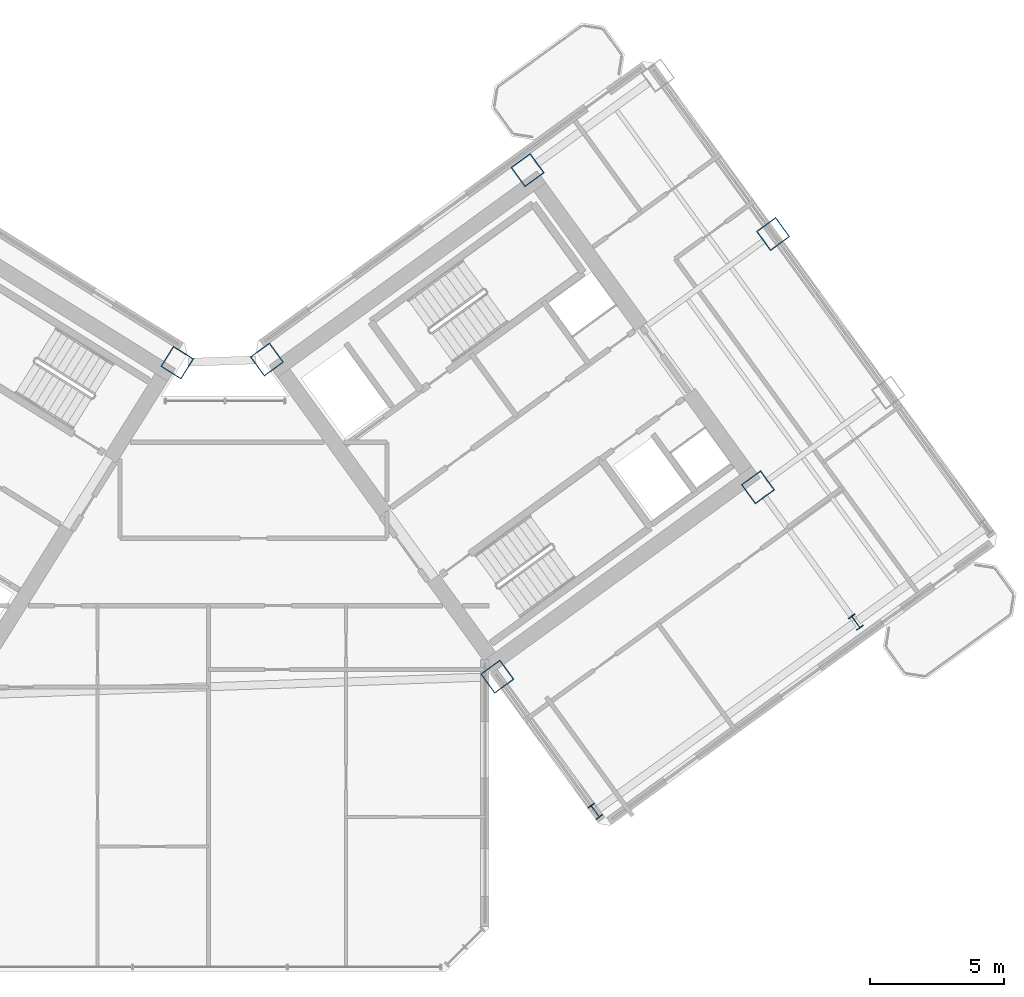
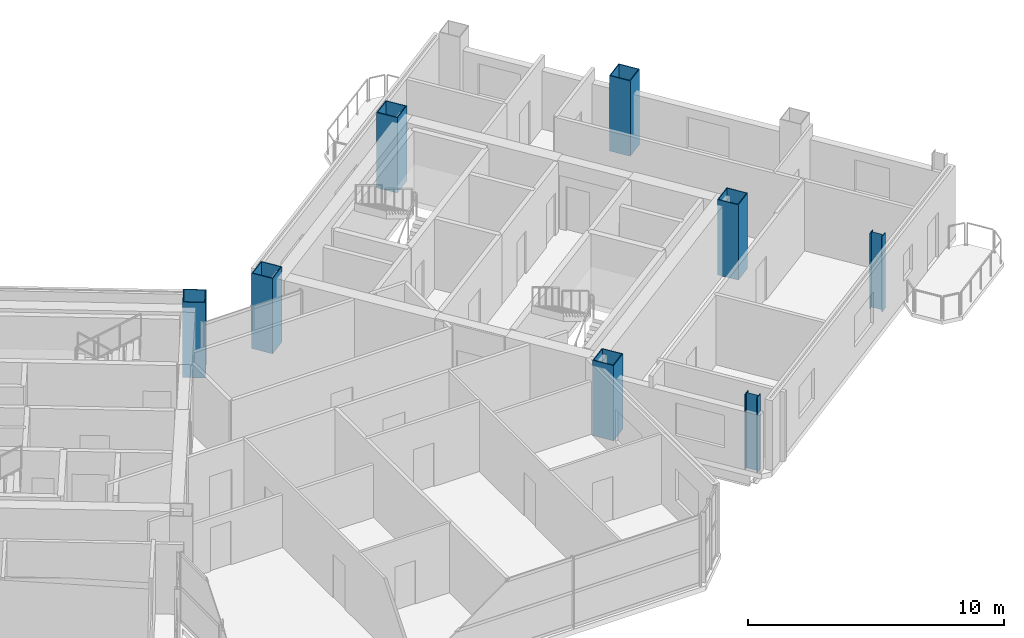
# One storey, part 2 of 29: 8 columns.
"""IFC4 building model written with IfcOpenShell, lengths in metres."""

from ifc_helpers import new_model, si_unit, direction, frame, origin, origin_2d, place, context, subcontext, project, spatial, hollow_rectangle, i_section, extrude, source, transform, mapped, material, material_profile, profile_set, type_object, element, save


model = new_model("IFC4")

# Units and contexts
model_context = context("Model", 3, precision=1e-05, world=origin(), true_north=direction((0.0, 1.0)))
body_context = subcontext(model_context, "Body", "Model", "MODEL_VIEW")
ifc_project = project(units=[si_unit("LENGTHUNIT", "METRE"), si_unit("AREAUNIT", "SQUARE_METRE"), si_unit("VOLUMEUNIT", "CUBIC_METRE"), si_unit("PLANEANGLEUNIT", "RADIAN"), si_unit("MASSUNIT", "GRAM", prefix="KILO")], contexts=[model_context])

# Site, building, storey
site_placement = place(None, origin())
site = spatial("IfcSite", under=ifc_project, at=site_placement, CompositionType="ELEMENT")
building_placement = place(site_placement, origin())
building = spatial("IfcBuilding", under=site, at=building_placement, Name="Tlacorven Tower", CompositionType="ELEMENT")
storey_placement = place(building_placement, frame((0.0, 0.0, 158.699951171875)))
storey = spatial("IfcBuildingStorey", under=building, at=storey_placement, Name="L40", CompositionType="ELEMENT", Elevation=158.699951171875)

# Columns
ifc_material = material(Name="Steel S460M", Category="steel")
ifc_material_profile_1 = material_profile(ifc_material, hollow_rectangle(XDim=0.89990234375, YDim=0.89990234375, WallThickness=0.035888671875, at=origin_2d()), Name="BOX 900X900X36")
ifc_profile_set_1 = profile_set([ifc_material_profile_1], Name="Steel S460M")
column_type_1 = type_object("IfcColumnType", Name="COL-TWR-S2", PredefinedType="COLUMN", material=ifc_profile_set_1)
shared_shape_1 = source(origin(), body_context, "Body", "SweptSolid", [
    extrude(hollow_rectangle(XDim=0.89990234375, YDim=0.89990234375, WallThickness=0.035888671875, at=origin_2d()), origin(), (0.0, 0.0, 1.0), 3.60009765625),
])
for number, where, z_axis, x_axis, name in (
    (1, (40.782958984375, 24.468505859375, 0.0), (0.0, 0.0, 1.0), (-0.848048096156, 0.529919264233, 0.0), "L40 column COL-L40-W1-1"),
    (2, (52.705322265625, 12.7734375, 0.0), (0.0, 0.0, 1.0), (0.809016994375, 0.587785252292, 0.0), "L40 column COL-L40-E1-2"),
    (3, (44.123779296875, 24.5849609375, 0.0), (0.0, 0.0, 1.0), (0.809016994375, 0.587785252292, 0.0), "L40 column COL-L40-E1-4"),
    (4, (62.41357421875, 19.826904296875, 0.0), (0.0, 0.0, 1.0), (0.809016994375, 0.587785252292, 0.0), "L40 column COL-L40-E3-2"),
    (5, (53.83203125, 31.638427734375, 0.0), (0.0, 0.0, 1.0), (0.809016994375, 0.587785252292, 0.0), "L40 column COL-L40-E3-4"),
    (6, (62.976806640625, 29.25927734375, 0.0), (0.0, 0.0, 1.0), (0.809016994375, 0.587785252292, 0.0), "L40 column COL-L40-E4-3"),
):
    element("IfcColumn", number, at=place(storey_placement, frame(where, z_axis=z_axis, x_axis=x_axis)), inside=storey, type_object=column_type_1, Name=name, PredefinedType="COLUMN", context=body_context, shape_type="MappedRepresentation", body=[
        mapped(shared_shape_1, transform((0.0, 0.0, 0.0), scale=1.0)),
    ])
ifc_material_profile_2 = material_profile(ifc_material, i_section(OverallWidth=0.300048828125, OverallDepth=0.550048828125, WebThickness=0.014892578125, FlangeThickness=0.029052734375, at=origin_2d()), Name="HEB 550")
ifc_profile_set_2 = profile_set([ifc_material_profile_2], Name="Steel S460M")
column_type_2 = type_object("IfcColumnType", Name="COL-TWR-P2", PredefinedType="COLUMN", material=ifc_profile_set_2)
shared_shape_2 = source(origin(), body_context, "Body", "SweptSolid", [
    extrude(i_section(OverallWidth=0.300048828125, OverallDepth=0.550048828125, WebThickness=0.014892578125, FlangeThickness=0.029052734375, at=origin_2d()), origin(), (0.0, 0.0, 1.0), 3.60009765625),
])
for number, where, z_axis, x_axis, name in (
    (7, (56.349609375, 7.757568359375, 0.0), (0.0, 0.0, 1.0), (0.809016994375, 0.587785252292, 0.0), "L40 column COL-L40-E1-1"),
    (8, (66.057861328125, 14.81103515625, 0.0), (0.0, 0.0, 1.0), (0.809016994375, 0.587785252292, 0.0), "L40 column COL-L40-E3-1"),
):
    element("IfcColumn", number, at=place(storey_placement, frame(where, z_axis=z_axis, x_axis=x_axis)), inside=storey, type_object=column_type_2, Name=name, PredefinedType="COLUMN", context=body_context, shape_type="MappedRepresentation", body=[
        mapped(shared_shape_2, transform((0.0, 0.0, 0.0), scale=1.0)),
    ])

save(model, "model.ifc")
